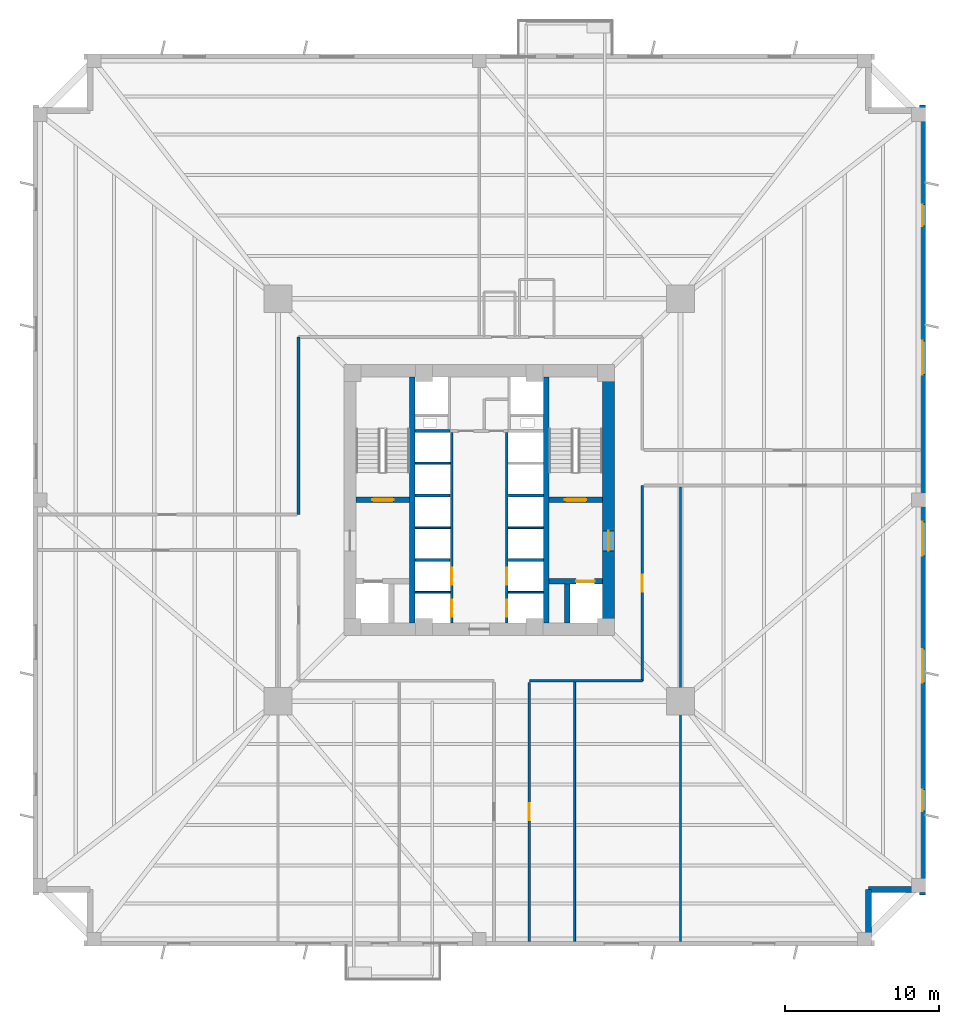
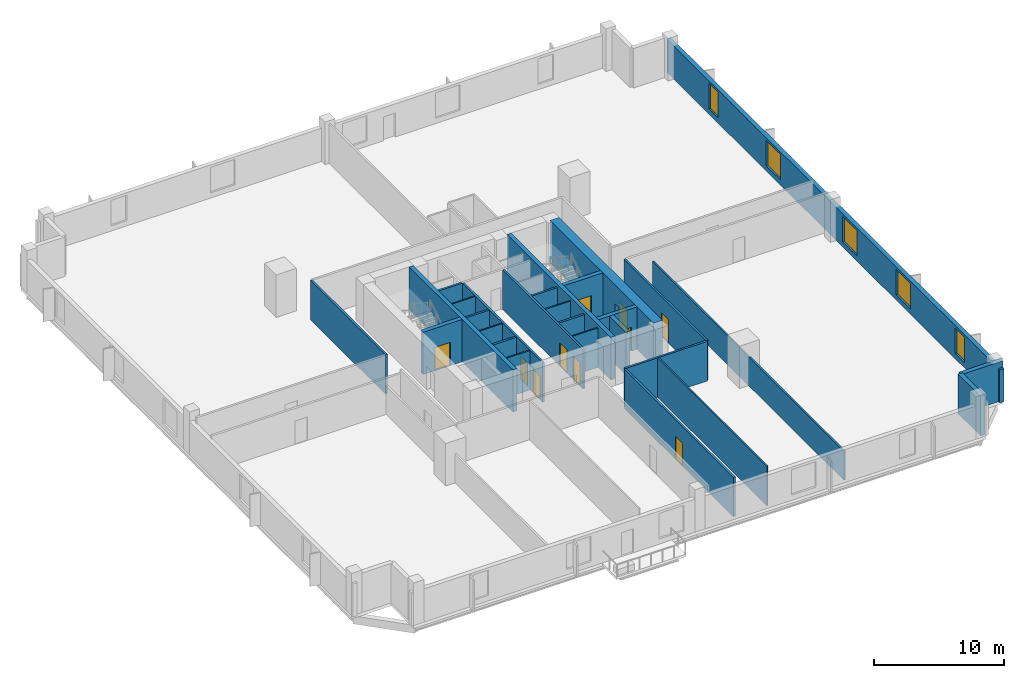
# One storey, part 3 of 8: 28 walls, 10 doors, 5 windows, 15 openings.
"""IFC4 building model written with IfcOpenShell, lengths in metres."""

from ifc_helpers import new_model, si_unit, direction, frame, frame_2d, origin, place, context, subcontext, project, spatial, rectangle, extrude, source, transform, mapped, material, layer, layer_set, type_object, element, fill, save


model = new_model("IFC4")

# Units and contexts
model_context = context("Model", 3, precision=1e-05, world=origin(), true_north=direction((0.0, 1.0)))
body_context = subcontext(model_context, "Body", "Model", "MODEL_VIEW")
ifc_project = project(units=[si_unit("LENGTHUNIT", "METRE"), si_unit("AREAUNIT", "SQUARE_METRE"), si_unit("VOLUMEUNIT", "CUBIC_METRE"), si_unit("PLANEANGLEUNIT", "RADIAN"), si_unit("MASSUNIT", "GRAM", prefix="KILO"), si_unit("THERMODYNAMICTEMPERATUREUNIT", "KELVIN")], contexts=[model_context])

# Site, building, storey
site_placement = place(None, origin())
site = spatial("IfcSite", under=ifc_project, at=site_placement, CompositionType="ELEMENT")
building_placement = place(site_placement, origin())
building = spatial("IfcBuilding", under=site, at=building_placement, Name="Kosmvard Interchange Tower", CompositionType="ELEMENT")
storey_placement = place(building_placement, frame((0.0, 0.0, 54.0)))
storey = spatial("IfcBuildingStorey", under=building, at=storey_placement, Name="L12", CompositionType="ELEMENT", Elevation=54.0)

# Wall
ifc_material_1 = material(Name="Acoustic gypsum partition system")
ifc_layer_1 = layer(ifc_material_1, 0.14990234375, Name="Acoustic gypsum partition system")
ifc_layer_set_1 = layer_set([ifc_layer_1], Name="Acoustic gypsum partition system")
wall_type_1 = type_object("IfcWallType", Name="Acoustic Suite & Meeting Partition 150", PredefinedType="PARTITIONING", material=ifc_layer_set_1)
wall_1_placement = place(storey_placement, frame((13.0810546875, -28.68505859375, 0.0), z_axis=(0.0, 0.0, 1.0), x_axis=(0.0, 1.0, 0.0)))
element("IfcWall", 1, at=wall_1_placement, inside=storey, type_object=wall_type_1, Name="L12 Room Partition 03.1", PredefinedType="PARTITIONING", context=body_context, shape_type="SweptSolid", body=[
    extrude(rectangle(XDim=29.5400390625, YDim=0.14990234375, at=frame_2d((14.77001953125, 0.0))), origin(), (0.0, 0.0, 1.0), 2.7119140625),
])

# Wall, openings, doors
ifc_material_2 = material(Name="Fire-rated gypsum partition system")
ifc_layer_2 = layer(ifc_material_2, 0.179931640625, Name="Fire-rated gypsum partition system")
ifc_layer_set_2 = layer_set([ifc_layer_2], Name="Fire-rated gypsum partition system")
wall_type_2 = type_object("IfcWallType", Name="Corridor & Hotel Compartment Partition 180", PredefinedType="PARTITIONING", material=ifc_layer_set_2)
wall_2_placement = place(storey_placement, frame((-1.7900390625, -7.97998046875, 0.0), z_axis=(0.0, 0.0, 1.0), x_axis=(0.0, 1.0, 0.0)))
wall_2 = element("IfcWall", 2, at=wall_2_placement, inside=storey, type_object=wall_type_2, Name="L12 West Lift Bank Front Wall", PredefinedType="PARTITIONING", context=body_context, shape_type="SweptSolid", body=[
    extrude(rectangle(XDim=12.3798828125, YDim=0.179931640625, at=frame_2d((6.18994140625, 0.0))), origin(), (0.0, 0.0, 1.0), 3.719970703125),
])
opening_1_placement = place(wall_2_placement, frame((0.39990234375, 0.0, 0.0)))
opening_1 = element("IfcOpeningElement", 3, at=opening_1_placement, cuts=wall_2, Name="Opening LD-PL-L1-L12", PredefinedType="OPENING", context=body_context, shape_type="SweptSolid", body=[
    extrude(rectangle(XDim=1.10009765625, YDim=2.199951171875, at=frame_2d((0.550048828125, 1.10009765625))), frame((0.0, 0.10009765625, 0.0), z_axis=(0.0, -1.0, 0.0), x_axis=(1.0, 0.0, 0.0)), (0.0, 0.0, 1.0), 0.199951171875),
])
opening_2_placement = place(wall_2_placement, frame((2.4599609375, 0.0, 0.0)))
opening_2 = element("IfcOpeningElement", 4, at=opening_2_placement, cuts=wall_2, Name="Opening LD-PL-L2-L12", PredefinedType="OPENING", context=body_context, shape_type="SweptSolid", body=[
    extrude(rectangle(XDim=1.10009765625, YDim=2.199951171875, at=frame_2d((0.550048828125, 1.10009765625))), frame((0.0, 0.10009765625, 0.0), z_axis=(0.0, -1.0, 0.0), x_axis=(1.0, 0.0, 0.0)), (0.0, 0.0, 1.0), 0.199951171875),
])
ifc_material_3 = material(Name="Brushed stainless steel sliding leaf", Category="steel")
door_type_1 = type_object("IfcDoorType", Name="Passenger Lift Sliding Landing Door 1100x2200 EI60", OperationType="DOUBLE_DOOR_SLIDING", PredefinedType="DOOR", material=ifc_material_3)
shared_shape_1 = source(origin(), body_context, "Body", "SweptSolid", [
    extrude(rectangle(XDim=1.10009765625, YDim=2.199951171875, at=frame_2d((0.550048828125, 1.10009765625))), frame((0.0, 0.02490234375, 0.0), z_axis=(0.0, -1.0, 0.0), x_axis=(1.0, 0.0, 0.0)), (0.0, 0.0, 1.0), 0.050048828125),
])
door_1_placement = place(opening_1_placement, frame((1.10009765625, 0.0, 0.0), z_axis=(0.0, 0.0, 1.0), x_axis=(-1.0, 0.0, 0.0)))
door_1 = element("IfcDoor", 5, at=door_1_placement, inside=storey, type_object=door_type_1, Name="Lift PL-L1 Landing Door L12", OperationType="DOUBLE_DOOR_SLIDING", OverallHeight=2.199951171875, OverallWidth=1.10009765625, PredefinedType="DOOR", context=body_context, shape_type="MappedRepresentation", body=[
    mapped(shared_shape_1, transform((0.0, 0.0, 0.0), scale=1.0)),
])
fill(opening_1, door_1)
door_2_placement = place(opening_2_placement, frame((1.10009765625, 0.0, 0.0), z_axis=(0.0, 0.0, 1.0), x_axis=(-1.0, 0.0, 0.0)))
door_2 = element("IfcDoor", 6, at=door_2_placement, inside=storey, type_object=door_type_1, Name="Lift PL-L2 Landing Door L12", OperationType="DOUBLE_DOOR_SLIDING", OverallHeight=2.199951171875, OverallWidth=1.10009765625, PredefinedType="DOOR", context=body_context, shape_type="MappedRepresentation", body=[
    mapped(shared_shape_1, transform((0.0, 0.0, 0.0), scale=1.0)),
])
fill(opening_2, door_2)

wall_3_placement = place(storey_placement, frame((1.7900390625, -7.97998046875, 0.0), z_axis=(0.0, 0.0, 1.0), x_axis=(0.0, 1.0, 0.0)))
wall_3 = element("IfcWall", 7, at=wall_3_placement, inside=storey, type_object=wall_type_2, Name="L12 East Lift Bank Front Wall", PredefinedType="PARTITIONING", context=body_context, shape_type="SweptSolid", body=[
    extrude(rectangle(XDim=12.3798828125, YDim=0.179931640625, at=frame_2d((6.18994140625, 0.0))), origin(), (0.0, 0.0, 1.0), 3.719970703125),
])
opening_3_placement = place(wall_3_placement, frame((0.39990234375, 0.0, 0.0)))
opening_3 = element("IfcOpeningElement", 8, at=opening_3_placement, cuts=wall_3, Name="Opening LD-PL-L3-L12", PredefinedType="OPENING", context=body_context, shape_type="SweptSolid", body=[
    extrude(rectangle(XDim=1.10009765625, YDim=2.199951171875, at=frame_2d((0.550048828125, 1.10009765625))), frame((0.0, 0.10009765625, 0.0), z_axis=(0.0, -1.0, 0.0), x_axis=(1.0, 0.0, 0.0)), (0.0, 0.0, 1.0), 0.199951171875),
])
opening_4_placement = place(wall_3_placement, frame((2.4599609375, 0.0, 0.0)))
opening_4 = element("IfcOpeningElement", 9, at=opening_4_placement, cuts=wall_3, Name="Opening LD-PL-L4-L12", PredefinedType="OPENING", context=body_context, shape_type="SweptSolid", body=[
    extrude(rectangle(XDim=1.10009765625, YDim=2.199951171875, at=frame_2d((0.550048828125, 1.10009765625))), frame((0.0, 0.10009765625, 0.0), z_axis=(0.0, -1.0, 0.0), x_axis=(1.0, 0.0, 0.0)), (0.0, 0.0, 1.0), 0.199951171875),
])
door_3_placement = place(opening_3_placement, origin())
door_3 = element("IfcDoor", 10, at=door_3_placement, inside=storey, type_object=door_type_1, Name="Lift PL-L3 Landing Door L12", OperationType="DOUBLE_DOOR_SLIDING", OverallHeight=2.199951171875, OverallWidth=1.10009765625, PredefinedType="DOOR", context=body_context, shape_type="MappedRepresentation", body=[
    mapped(shared_shape_1, transform((0.0, 0.0, 0.0), scale=1.0)),
])
fill(opening_3, door_3)
door_4_placement = place(opening_4_placement, origin())
door_4 = element("IfcDoor", 11, at=door_4_placement, inside=storey, type_object=door_type_1, Name="Lift PL-L4 Landing Door L12", OperationType="DOUBLE_DOOR_SLIDING", OverallHeight=2.199951171875, OverallWidth=1.10009765625, PredefinedType="DOOR", context=body_context, shape_type="MappedRepresentation", body=[
    mapped(shared_shape_1, transform((0.0, 0.0, 0.0), scale=1.0)),
])
fill(opening_4, door_4)

# Walls
wall_4_placement = place(storey_placement, frame((3.25, -11.75, 0.0), z_axis=(0.0, 0.0, 1.0), x_axis=(1.0, 0.0, 0.0)))
element("IfcWall", 12, at=wall_4_placement, inside=storey, type_object=wall_type_2, Name="L12 Corridor Wall CSE", PredefinedType="PARTITIONING", context=body_context, shape_type="SweptSolid", body=[
    extrude(rectangle(XDim=7.35009765625, YDim=0.179931640625, at=frame_2d((3.675048828125, 0.0))), origin(), (0.0, 0.0, 1.0), 3.719970703125),
])
wall_5_placement = place(storey_placement, frame((-11.75, -0.949951171875, 0.0), z_axis=(0.0, 0.0, 1.0), x_axis=(0.0, 1.0, 0.0)))
element("IfcWall", 13, at=wall_5_placement, inside=storey, type_object=wall_type_2, Name="L12 Corridor Wall CWN", PredefinedType="PARTITIONING", context=body_context, shape_type="SweptSolid", body=[
    extrude(rectangle(XDim=11.550048828125, YDim=0.179931640625, at=frame_2d((5.77490234375, 0.0))), origin(), (0.0, 0.0, 1.0), 3.719970703125),
])

# Wall, opening, door
wall_6_placement = place(storey_placement, frame((10.60009765625, -11.75, 0.0), z_axis=(0.0, 0.0, 1.0), x_axis=(0.0, 1.0, 0.0)))
wall_6 = element("IfcWall", 14, at=wall_6_placement, inside=storey, type_object=wall_type_2, Name="L12 Corridor Wall CES", PredefinedType="PARTITIONING", context=body_context, shape_type="SweptSolid", body=[
    extrude(rectangle(XDim=12.699951171875, YDim=0.179931640625, at=frame_2d((6.35009765625, 0.0))), origin(), (0.0, 0.0, 1.0), 3.719970703125),
])
opening_5_placement = place(wall_6_placement, frame((5.800048828125, 0.0, 0.0)))
opening_5 = element("IfcOpeningElement", 15, at=opening_5_placement, cuts=wall_6, Name="Opening L12-D06", PredefinedType="OPENING", context=body_context, shape_type="SweptSolid", body=[
    extrude(rectangle(XDim=1.10009765625, YDim=2.199951171875, at=frame_2d((0.550048828125, 1.10009765625))), frame((0.0, 0.10009765625, 0.0), z_axis=(0.0, -1.0, 0.0), x_axis=(1.0, 0.0, 0.0)), (0.0, 0.0, 1.0), 0.199951171875),
])
ifc_material_4 = material(Name="Engineered oak fire-rated timber", Category="wood")
door_type_2 = type_object("IfcDoorType", Name="Office Suite Entrance Door 1100x2200 FD30S", OperationType="NOTDEFINED", PredefinedType="DOOR", material=ifc_material_4)
door_5_placement = place(opening_5_placement, frame((1.10009765625, 0.0, 0.0), z_axis=(0.0, 0.0, 1.0), x_axis=(-1.0, 0.0, 0.0)))
door_5 = element("IfcDoor", 16, at=door_5_placement, inside=storey, type_object=door_type_2, Name="L12 Strategy Seminar Room 1 Door", OperationType="SINGLE_SWING_RIGHT", OverallHeight=2.199951171875, OverallWidth=1.10009765625, PredefinedType="DOOR", context=body_context, shape_type="MappedRepresentation", body=[
    mapped(shared_shape_1, transform((0.0, 0.0, 0.0), scale=1.0)),
])
fill(opening_5, door_5)

wall_7_placement = place(storey_placement, frame((3.25, -28.68505859375, 0.0), z_axis=(0.0, 0.0, 1.0), x_axis=(0.0, 1.0, 0.0)))
wall_7 = element("IfcWall", 17, at=wall_7_placement, inside=storey, type_object=wall_type_2, Name="L12 Corridor Wall SSE", PredefinedType="PARTITIONING", context=body_context, shape_type="SweptSolid", body=[
    extrude(rectangle(XDim=16.8349609375, YDim=0.179931640625, at=frame_2d((8.41748046875, 0.0))), origin(), (0.0, 0.0, 1.0), 3.719970703125),
])
opening_6_placement = place(wall_7_placement, frame((7.867431640625, 0.0, 0.0)))
opening_6 = element("IfcOpeningElement", 18, at=opening_6_placement, cuts=wall_7, Name="Opening L12-D05", PredefinedType="OPENING", context=body_context, shape_type="SweptSolid", body=[
    extrude(rectangle(XDim=1.10009765625, YDim=2.199951171875, at=frame_2d((0.550048828125, 1.10009765625))), frame((0.0, 0.10009765625, 0.0), z_axis=(0.0, -1.0, 0.0), x_axis=(1.0, 0.0, 0.0)), (0.0, 0.0, 1.0), 0.199951171875),
])
door_6_placement = place(opening_6_placement, frame((1.10009765625, 0.0, 0.0), z_axis=(0.0, 0.0, 1.0), x_axis=(-1.0, 0.0, 0.0)))
door_6 = element("IfcDoor", 19, at=door_6_placement, inside=storey, type_object=door_type_2, Name="L12 Client Reception Foyer Door", OperationType="SINGLE_SWING_LEFT", OverallHeight=2.199951171875, OverallWidth=1.10009765625, PredefinedType="DOOR", context=body_context, shape_type="MappedRepresentation", body=[
    mapped(shared_shape_1, transform((0.0, 0.0, 0.0), scale=1.0)),
])
fill(opening_6, door_6)

ifc_material_5 = material(Name="Concrete C80/95", Category="concrete")
ifc_layer_3 = layer(ifc_material_5, 0.800048828125, Name="Concrete C80/95")
ifc_layer_set_3 = layer_set([ifc_layer_3], Name="Concrete C80/95")
wall_type_3 = type_object("IfcWallType", Name="Lower Core Shear Wall 800 C80/95", PredefinedType="SHEAR", material=ifc_layer_set_3)
wall_8_placement = place(storey_placement, frame((8.39990234375, -8.0, 0.0), z_axis=(0.0, 0.0, 1.0), x_axis=(0.0, 1.0, 0.0)))
wall_8 = element("IfcWall", 20, at=wall_8_placement, inside=storey, type_object=wall_type_3, Name="L12 Core Shear Wall CW-E", PredefinedType="SHEAR", context=body_context, shape_type="SweptSolid", body=[
    extrude(rectangle(XDim=16.0, YDim=0.800048828125, at=frame_2d((8.0, 0.0))), origin(), (0.0, 0.0, 1.0), 4.0),
])
opening_7_placement = place(wall_8_placement, frame((4.68994140625, 0.0, 0.0)))
opening_7 = element("IfcOpeningElement", 21, at=opening_7_placement, cuts=wall_8, Name="Opening L12-FD2", PredefinedType="OPENING", context=body_context, shape_type="SweptSolid", body=[
    extrude(rectangle(XDim=1.300048828125, YDim=2.199951171875, at=frame_2d((0.64990234375, 1.10009765625))), frame((0.0, 0.41015625, 0.0), z_axis=(0.0, -1.0, 0.0), x_axis=(1.0, 0.0, 0.0)), (0.0, 0.0, 1.0), 0.820068359375),
])
ifc_material_6 = material(Name="Painted fire-rated steel leaf", Category="steel")
door_type_3 = type_object("IfcDoorType", Name="Firefighting Lobby Door 1300x2200 EI60", OperationType="NOTDEFINED", PredefinedType="DOOR", material=ifc_material_6)
shared_shape_2 = source(origin(), body_context, "Body", "SweptSolid", [
    extrude(rectangle(XDim=1.300048828125, YDim=2.199951171875, at=frame_2d((0.64990234375, 1.10009765625))), frame((0.0, 0.02490234375, 0.0), z_axis=(0.0, -1.0, 0.0), x_axis=(1.0, 0.0, 0.0)), (0.0, 0.0, 1.0), 0.050048828125),
])
door_7_placement = place(opening_7_placement, origin())
door_7 = element("IfcDoor", 22, at=door_7_placement, inside=storey, type_object=door_type_3, Name="L12 Firefighting Lobby East Door", OperationType="SINGLE_SWING_RIGHT", OverallHeight=2.199951171875, OverallWidth=1.300048828125, PredefinedType="DOOR", context=body_context, shape_type="MappedRepresentation", body=[
    mapped(shared_shape_2, transform((0.0, 0.0, 0.0), scale=1.0)),
])
fill(opening_7, door_7)

# Walls
ifc_material_7 = material(Name="Precast concrete C45/55", Category="concrete")
ifc_layer_4 = layer(ifc_material_7, 0.3798828125, Name="Precast concrete C45/55")
ifc_layer_set_4 = layer_set([ifc_layer_4], Name="Precast concrete C45/55")
wall_type_4 = type_object("IfcWallType", Name="Lower Tower Precast Pier Wall 380 C45/55", PredefinedType="STANDARD", material=ifc_layer_set_4)
wall_9_placement = place(storey_placement, frame((25.31005859375, -28.81005859375, 0.0), z_axis=(0.0, 0.0, 1.0), x_axis=(0.0, 1.0, 0.0)))
element("IfcWall", 23, at=wall_9_placement, inside=storey, type_object=wall_type_4, Name="L12 Precast Facade Wall N-SE1", PredefinedType="STANDARD", context=body_context, shape_type="SweptSolid", body=[
    extrude(rectangle(XDim=3.5, YDim=0.3798828125, at=frame_2d((1.75, 0.0))), origin(), (0.0, 0.0, 1.0), 3.719970703125),
])
wall_10_placement = place(storey_placement, frame((25.31005859375, -25.31005859375, 0.0), z_axis=(0.0, 0.0, 1.0), x_axis=(1.0, 0.0, 0.0)))
element("IfcWall", 24, at=wall_10_placement, inside=storey, type_object=wall_type_4, Name="L12 Precast Facade Wall N-SE2", PredefinedType="STANDARD", context=body_context, shape_type="SweptSolid", body=[
    extrude(rectangle(XDim=3.68994140625, YDim=0.3798828125, at=frame_2d((1.844970703125, 0.0))), origin(), (0.0, 0.0, 1.0), 3.719970703125),
])

# Wall, openings, windows
wall_11_placement = place(storey_placement, frame((28.81005859375, -25.68994140625, 0.0), z_axis=(0.0, 0.0, 1.0), x_axis=(0.0, 1.0, 0.0)))
wall_11 = element("IfcWall", 25, at=wall_11_placement, inside=storey, type_object=wall_type_4, Name="L12 Precast Facade Wall F-E", PredefinedType="STANDARD", context=body_context, shape_type="SweptSolid", body=[
    extrude(rectangle(XDim=51.3798828125, YDim=0.3798828125, at=frame_2d((25.68994140625, 0.0))), origin(), (0.0, 0.0, 1.0), 3.1201171875),
])
opening_8_placement = place(wall_11_placement, frame((5.465576171875, 0.0, 0.489990234375)))
opening_8 = element("IfcOpeningElement", 26, at=opening_8_placement, cuts=wall_11, Name="Opening L12-W06", PredefinedType="OPENING", context=body_context, shape_type="SweptSolid", body=[
    extrude(rectangle(XDim=1.39990234375, YDim=2.39990234375, at=frame_2d((0.699951171875, 1.199951171875))), frame((0.0, 0.199951171875, 0.0), z_axis=(0.0, -1.0, 0.0), x_axis=(1.0, 0.0, 0.0)), (0.0, 0.0, 1.0), 0.39990234375),
])
opening_9_placement = place(wall_11_placement, frame((13.80029296875, 0.0, 0.489990234375)))
opening_9 = element("IfcOpeningElement", 27, at=opening_9_placement, cuts=wall_11, Name="Opening L12-W07", PredefinedType="OPENING", context=body_context, shape_type="SweptSolid", body=[
    extrude(rectangle(XDim=2.199951171875, YDim=2.39990234375, at=frame_2d((1.10009765625, 1.199951171875))), frame((0.0, 0.199951171875, 0.0), z_axis=(0.0, -1.0, 0.0), x_axis=(1.0, 0.0, 0.0)), (0.0, 0.0, 1.0), 0.39990234375),
])
opening_10_placement = place(wall_11_placement, frame((22.0625, 0.0, 0.489990234375)))
opening_10 = element("IfcOpeningElement", 28, at=opening_10_placement, cuts=wall_11, Name="Opening L12-W08", PredefinedType="OPENING", context=body_context, shape_type="SweptSolid", body=[
    extrude(rectangle(XDim=2.199951171875, YDim=2.39990234375, at=frame_2d((1.10009765625, 1.199951171875))), frame((0.0, 0.199951171875, 0.0), z_axis=(0.0, -1.0, 0.0), x_axis=(1.0, 0.0, 0.0)), (0.0, 0.0, 1.0), 0.39990234375),
])
opening_11_placement = place(wall_11_placement, frame((33.83837890625, 0.0, 0.489990234375)))
opening_11 = element("IfcOpeningElement", 29, at=opening_11_placement, cuts=wall_11, Name="Opening L12-W09", PredefinedType="OPENING", context=body_context, shape_type="SweptSolid", body=[
    extrude(rectangle(XDim=2.199951171875, YDim=2.39990234375, at=frame_2d((1.10009765625, 1.199951171875))), frame((0.0, 0.199951171875, 0.0), z_axis=(0.0, -1.0, 0.0), x_axis=(1.0, 0.0, 0.0)), (0.0, 0.0, 1.0), 0.39990234375),
])
opening_12_placement = place(wall_11_placement, frame((43.48681640625, 0.0, 0.489990234375)))
opening_12 = element("IfcOpeningElement", 30, at=opening_12_placement, cuts=wall_11, Name="Opening L12-W10", PredefinedType="OPENING", context=body_context, shape_type="SweptSolid", body=[
    extrude(rectangle(XDim=1.39990234375, YDim=2.39990234375, at=frame_2d((0.699951171875, 1.199951171875))), frame((0.0, 0.199951171875, 0.0), z_axis=(0.0, -1.0, 0.0), x_axis=(1.0, 0.0, 0.0)), (0.0, 0.0, 1.0), 0.39990234375),
])
ifc_material_8 = material(Name="Low-E solar-control double glazing", Category="glass")
window_type_1 = type_object("IfcWindowType", Name="Notched Corner Feature Window 1400x2400", PartitioningType="SINGLE_PANEL", PredefinedType="WINDOW", material=ifc_material_8)
shared_shape_3 = source(origin(), body_context, "Body", "SweptSolid", [
    extrude(rectangle(XDim=1.39990234375, YDim=2.39990234375, at=frame_2d((0.699951171875, 1.199951171875))), frame((0.0, 0.030029296875, 0.0), z_axis=(0.0, -1.0, 0.0), x_axis=(1.0, 0.0, 0.0)), (0.0, 0.0, 1.0), 0.06005859375),
])
window_1_placement = place(opening_8_placement, origin())
window_1 = element("IfcWindow", 31, at=window_1_placement, inside=storey, type_object=window_type_1, Name="L12 Facade Punched Window 06", OverallHeight=2.39990234375, OverallWidth=1.39990234375, PartitioningType="SINGLE_PANEL", PredefinedType="WINDOW", context=body_context, shape_type="MappedRepresentation", body=[
    mapped(shared_shape_3, transform((0.0, 0.0, 0.0), scale=1.0)),
])
fill(opening_8, window_1)
window_2_placement = place(opening_12_placement, origin())
window_2 = element("IfcWindow", 32, at=window_2_placement, inside=storey, type_object=window_type_1, Name="L12 Facade Punched Window 10", OverallHeight=2.39990234375, OverallWidth=1.39990234375, PartitioningType="SINGLE_PANEL", PredefinedType="WINDOW", context=body_context, shape_type="MappedRepresentation", body=[
    mapped(shared_shape_3, transform((0.0, 0.0, 0.0), scale=1.0)),
])
fill(opening_12, window_2)
window_type_2 = type_object("IfcWindowType", Name="Zone 1 Office Punched Window 2200x2400", PartitioningType="SINGLE_PANEL", PredefinedType="WINDOW", material=ifc_material_8)
shared_shape_4 = source(origin(), body_context, "Body", "SweptSolid", [
    extrude(rectangle(XDim=2.199951171875, YDim=2.39990234375, at=frame_2d((1.10009765625, 1.199951171875))), frame((0.0, 0.030029296875, 0.0), z_axis=(0.0, -1.0, 0.0), x_axis=(1.0, 0.0, 0.0)), (0.0, 0.0, 1.0), 0.06005859375),
])
window_3_placement = place(opening_9_placement, origin())
window_3 = element("IfcWindow", 33, at=window_3_placement, inside=storey, type_object=window_type_2, Name="L12 Facade Punched Window 07", OverallHeight=2.39990234375, OverallWidth=2.199951171875, PartitioningType="SINGLE_PANEL", PredefinedType="WINDOW", context=body_context, shape_type="MappedRepresentation", body=[
    mapped(shared_shape_4, transform((0.0, 0.0, 0.0), scale=1.0)),
])
fill(opening_9, window_3)
window_4_placement = place(opening_10_placement, origin())
window_4 = element("IfcWindow", 34, at=window_4_placement, inside=storey, type_object=window_type_2, Name="L12 Facade Punched Window 08", OverallHeight=2.39990234375, OverallWidth=2.199951171875, PartitioningType="SINGLE_PANEL", PredefinedType="WINDOW", context=body_context, shape_type="MappedRepresentation", body=[
    mapped(shared_shape_4, transform((0.0, 0.0, 0.0), scale=1.0)),
])
fill(opening_10, window_4)
window_5_placement = place(opening_11_placement, origin())
window_5 = element("IfcWindow", 35, at=window_5_placement, inside=storey, type_object=window_type_2, Name="L12 Facade Punched Window 09", OverallHeight=2.39990234375, OverallWidth=2.199951171875, PartitioningType="SINGLE_PANEL", PredefinedType="WINDOW", context=body_context, shape_type="MappedRepresentation", body=[
    mapped(shared_shape_4, transform((0.0, 0.0, 0.0), scale=1.0)),
])
fill(opening_11, window_5)

# Walls
ifc_material_9 = material(Name="Gypsum board partition system")
ifc_layer_5 = layer(ifc_material_9, 0.1201171875, Name="Gypsum board partition system")
ifc_layer_set_5 = layer_set([ifc_layer_5], Name="Gypsum board partition system")
wall_type_5 = type_object("IfcWallType", Name="Office Cellular Partition 120", PredefinedType="PARTITIONING", material=ifc_layer_set_5)
wall_12_placement = place(storey_placement, frame((6.199951171875, -28.68505859375, 0.0), z_axis=(0.0, 0.0, 1.0), x_axis=(0.0, 1.0, 0.0)))
element("IfcWall", 36, at=wall_12_placement, inside=storey, type_object=wall_type_5, Name="L12 Room Partition 02.1", PredefinedType="PARTITIONING", context=body_context, shape_type="SweptSolid", body=[
    extrude(rectangle(XDim=16.840087890625, YDim=0.1201171875, at=frame_2d((8.419921875, 0.0))), origin(), (0.0, 0.0, 1.0), 3.719970703125),
])
ifc_material_10 = material(Name="Concrete blockwork masonry", Category="masonry")
ifc_layer_6 = layer(ifc_material_10, 0.179931640625, Name="Concrete blockwork masonry")
ifc_layer_set_6 = layer_set([ifc_layer_6], Name="Concrete blockwork masonry")
wall_type_6 = type_object("IfcWallType", Name="Riser & Lift Bank Divider Wall 180", PredefinedType="PARTITIONING", material=ifc_layer_set_6)
for number, where, z_axis, x_axis, name in (
    (37, (-4.169921875, -3.89990234375, 0.0), (0.0, 0.0, 1.0), (1.0, 0.0, 0.0), "L12 West Bank Divider BD1"),
    (38, (1.889892578125, -3.89990234375, 0.0), (0.0, 0.0, 1.0), (1.0, 0.0, 0.0), "L12 East Bank Divider BD1"),
    (39, (-4.169921875, 0.300048828125, 0.0), (0.0, 0.0, 1.0), (1.0, 0.0, 0.0), "L12 West Bank Divider BD2"),
    (40, (1.889892578125, 0.300048828125, 0.0), (0.0, 0.0, 1.0), (1.0, 0.0, 0.0), "L12 East Bank Divider BD2"),
    (41, (-4.169921875, 4.489990234375, 0.0), (0.0, 0.0, 1.0), (1.0, 0.0, 0.0), "L12 West Bank Divider BD3"),
):
    element("IfcWall", number, at=place(storey_placement, frame(where, z_axis=z_axis, x_axis=x_axis)), inside=storey, type_object=wall_type_6, Name=name, PredefinedType="PARTITIONING", context=body_context, shape_type="SweptSolid", body=[
        extrude(rectangle(XDim=2.280029296875, YDim=0.179931640625, at=frame_2d((1.14013671875, 0.0))), origin(), (0.0, 0.0, 1.0), 3.719970703125),
    ])
ifc_material_11 = material(Name="Fire-rated gypsum shaftwall system")
ifc_layer_7 = layer(ifc_material_11, 0.1201171875, Name="Fire-rated gypsum shaftwall system")
ifc_layer_set_7 = layer_set([ifc_layer_7], Name="Fire-rated gypsum shaftwall system")
wall_type_7 = type_object("IfcWallType", Name="Shaft & Riser Fire Partition 120 EI60", PredefinedType="PARTITIONING", material=ifc_layer_set_7)
for number, where, z_axis, x_axis, name in (
    (42, (-4.159912109375, -6.0, 0.0), (0.0, 0.0, 1.0), (1.0, 0.0, 0.0), "L12 Shaft Divider PL-L1"),
    (43, (1.89990234375, -6.0, 0.0), (0.0, 0.0, 1.0), (1.0, 0.0, 0.0), "L12 Shaft Divider PL-L3"),
    (44, (-4.159912109375, -1.800048828125, 0.0), (0.0, 0.0, 1.0), (1.0, 0.0, 0.0), "L12 Shaft Divider PL-M1"),
    (45, (1.89990234375, -1.800048828125, 0.0), (0.0, 0.0, 1.0), (1.0, 0.0, 0.0), "L12 Shaft Divider PL-M3"),
    (46, (-4.159912109375, 2.39990234375, 0.0), (0.0, 0.0, 1.0), (1.0, 0.0, 0.0), "L12 Shaft Divider PL-H1"),
):
    element("IfcWall", number, at=place(storey_placement, frame(where, z_axis=z_axis, x_axis=x_axis)), inside=storey, type_object=wall_type_7, Name=name, PredefinedType="PARTITIONING", context=body_context, shape_type="SweptSolid", body=[
        extrude(rectangle(XDim=2.260009765625, YDim=0.1201171875, at=frame_2d((1.1298828125, 0.0))), origin(), (0.0, 0.0, 1.0), 3.719970703125),
    ])
ifc_material_12 = material(Name="Concrete C60/75", Category="concrete")
ifc_layer_8 = layer(ifc_material_12, 0.360107421875, Name="Concrete C60/75")
ifc_layer_set_8 = layer_set([ifc_layer_8], Name="Concrete C60/75")
wall_type_8 = type_object("IfcWallType", Name="Stair & Lift Shaft Shear Wall 360 C60/75", PredefinedType="SHEAR", material=ifc_layer_set_8)
for number, where, z_axis, x_axis, name in (
    (47, (-4.360107421875, -8.0, 0.0), (0.0, 0.0, 1.0), (0.0, 1.0, 0.0), "L12 Shaft Shear Wall SW-W"),
    (48, (4.360107421875, -8.0, 0.0), (0.0, 0.0, 1.0), (0.0, 1.0, 0.0), "L12 Shaft Shear Wall SW-E"),
):
    element("IfcWall", number, at=place(storey_placement, frame(where, z_axis=z_axis, x_axis=x_axis)), inside=storey, type_object=wall_type_8, Name=name, PredefinedType="SHEAR", context=body_context, shape_type="SweptSolid", body=[
        extrude(rectangle(XDim=16.0, YDim=0.360107421875, at=frame_2d((8.0, 0.0))), origin(), (0.0, 0.0, 1.0), 4.0),
    ])

# Wall, opening, door
wall_13_placement = place(storey_placement, frame((-8.0, 0.02001953125, 0.0), z_axis=(0.0, 0.0, 1.0), x_axis=(1.0, 0.0, 0.0)))
wall_13 = element("IfcWall", 49, at=wall_13_placement, inside=storey, type_object=wall_type_8, Name="L12 Shaft Shear Wall SW-ST1", PredefinedType="SHEAR", context=body_context, shape_type="SweptSolid", body=[
    extrude(rectangle(XDim=3.4599609375, YDim=0.360107421875, at=frame_2d((1.72998046875, 0.0))), origin(), (0.0, 0.0, 1.0), 4.0),
])
opening_13_placement = place(wall_13_placement, frame((1.030029296875, 0.0, 0.0)))
opening_13 = element("IfcOpeningElement", 50, at=opening_13_placement, cuts=wall_13, Name="Opening L12-SD1", PredefinedType="OPENING", context=body_context, shape_type="SweptSolid", body=[
    extrude(rectangle(XDim=1.39990234375, YDim=2.199951171875, at=frame_2d((0.699951171875, 1.10009765625))), frame((0.0, 0.18994140625, 0.0), z_axis=(0.0, -1.0, 0.0), x_axis=(1.0, 0.0, 0.0)), (0.0, 0.0, 1.0), 0.380126953125),
])
door_type_4 = type_object("IfcDoorType", Name="Protected Stair Door 1400x2200 FD60S", OperationType="NOTDEFINED", PredefinedType="DOOR", material=ifc_material_6)
shared_shape_5 = source(origin(), body_context, "Body", "SweptSolid", [
    extrude(rectangle(XDim=1.39990234375, YDim=2.199951171875, at=frame_2d((0.699951171875, 1.10009765625))), frame((0.0, 0.02490234375, 0.0), z_axis=(0.0, -1.0, 0.0), x_axis=(1.0, 0.0, 0.0)), (0.0, 0.0, 1.0), 0.050048828125),
])
door_8_placement = place(opening_13_placement, origin())
door_8 = element("IfcDoor", 51, at=door_8_placement, inside=storey, type_object=door_type_4, Name="L12 Stair ST-1 Enclosure Door", OperationType="SINGLE_SWING_LEFT", OverallHeight=2.199951171875, OverallWidth=1.39990234375, PredefinedType="DOOR", context=body_context, shape_type="MappedRepresentation", body=[
    mapped(shared_shape_5, transform((0.0, 0.0, 0.0), scale=1.0)),
])
fill(opening_13, door_8)

wall_14_placement = place(storey_placement, frame((4.5400390625, 0.02001953125, 0.0), z_axis=(0.0, 0.0, 1.0), x_axis=(1.0, 0.0, 0.0)))
wall_14 = element("IfcWall", 52, at=wall_14_placement, inside=storey, type_object=wall_type_8, Name="L12 Shaft Shear Wall SW-ST2", PredefinedType="SHEAR", context=body_context, shape_type="SweptSolid", body=[
    extrude(rectangle(XDim=3.4599609375, YDim=0.360107421875, at=frame_2d((1.72998046875, 0.0))), origin(), (0.0, 0.0, 1.0), 4.0),
])
opening_14_placement = place(wall_14_placement, frame((1.030029296875, 0.0, 0.0)))
opening_14 = element("IfcOpeningElement", 53, at=opening_14_placement, cuts=wall_14, Name="Opening L12-SD2", PredefinedType="OPENING", context=body_context, shape_type="SweptSolid", body=[
    extrude(rectangle(XDim=1.39990234375, YDim=2.199951171875, at=frame_2d((0.699951171875, 1.10009765625))), frame((0.0, 0.18994140625, 0.0), z_axis=(0.0, -1.0, 0.0), x_axis=(1.0, 0.0, 0.0)), (0.0, 0.0, 1.0), 0.380126953125),
])
door_9_placement = place(opening_14_placement, origin())
door_9 = element("IfcDoor", 54, at=door_9_placement, inside=storey, type_object=door_type_4, Name="L12 Stair ST-2 Enclosure Door", OperationType="SINGLE_SWING_RIGHT", OverallHeight=2.199951171875, OverallWidth=1.39990234375, PredefinedType="DOOR", context=body_context, shape_type="MappedRepresentation", body=[
    mapped(shared_shape_5, transform((0.0, 0.0, 0.0), scale=1.0)),
])
fill(opening_14, door_9)

wall_15_placement = place(storey_placement, frame((4.5400390625, -5.280029296875, 0.0), z_axis=(0.0, 0.0, 1.0), x_axis=(1.0, 0.0, 0.0)))
wall_15 = element("IfcWall", 55, at=wall_15_placement, inside=storey, type_object=wall_type_8, Name="L12 Shaft Shear Wall SW-FF2", PredefinedType="SHEAR", context=body_context, shape_type="SweptSolid", body=[
    extrude(rectangle(XDim=3.4599609375, YDim=0.360107421875, at=frame_2d((1.72998046875, 0.0))), origin(), (0.0, 0.0, 1.0), 4.0),
])
opening_15_placement = place(wall_15_placement, frame((1.760009765625, 0.0, 0.0)))
opening_15 = element("IfcOpeningElement", 56, at=opening_15_placement, cuts=wall_15, Name="Opening LD-FF-2-L12", PredefinedType="OPENING", context=body_context, shape_type="SweptSolid", body=[
    extrude(rectangle(XDim=1.199951171875, YDim=2.25, at=frame_2d((0.60009765625, 1.125))), frame((0.0, 0.18994140625, 0.0), z_axis=(0.0, -1.0, 0.0), x_axis=(1.0, 0.0, 0.0)), (0.0, 0.0, 1.0), 0.380126953125),
])
door_type_5 = type_object("IfcDoorType", Name="Firefighting Lift Sliding Landing Door 1200x2250 EI120", OperationType="DOUBLE_DOOR_SLIDING", PredefinedType="DOOR", material=ifc_material_3)
shared_shape_6 = source(origin(), body_context, "Body", "SweptSolid", [
    extrude(rectangle(XDim=1.199951171875, YDim=2.25, at=frame_2d((0.60009765625, 1.125))), frame((0.0, 0.02490234375, 0.0), z_axis=(0.0, -1.0, 0.0), x_axis=(1.0, 0.0, 0.0)), (0.0, 0.0, 1.0), 0.050048828125),
])
door_10_placement = place(opening_15_placement, origin())
door_10 = element("IfcDoor", 57, at=door_10_placement, inside=storey, type_object=door_type_5, Name="Lift FF-2 Landing Door L12", OperationType="DOUBLE_DOOR_SLIDING", OverallHeight=2.25, OverallWidth=1.199951171875, PredefinedType="DOOR", context=body_context, shape_type="MappedRepresentation", body=[
    mapped(shared_shape_6, transform((0.0, 0.0, 0.0), scale=1.0)),
])
fill(opening_15, door_10)

# Wall
wall_16_placement = place(storey_placement, frame((5.7099609375, -8.0, 0.0), z_axis=(0.0, 0.0, 1.0), x_axis=(0.0, 1.0, 0.0)))
element("IfcWall", 58, at=wall_16_placement, inside=storey, type_object=wall_type_8, Name="L12 Shaft Shear Wall SW-SM2", PredefinedType="SHEAR", context=body_context, shape_type="SweptSolid", body=[
    extrude(rectangle(XDim=2.5400390625, YDim=0.360107421875, at=frame_2d((1.27001953125, 0.0))), origin(), (0.0, 0.0, 1.0), 4.0),
])

save(model, "model.ifc")
